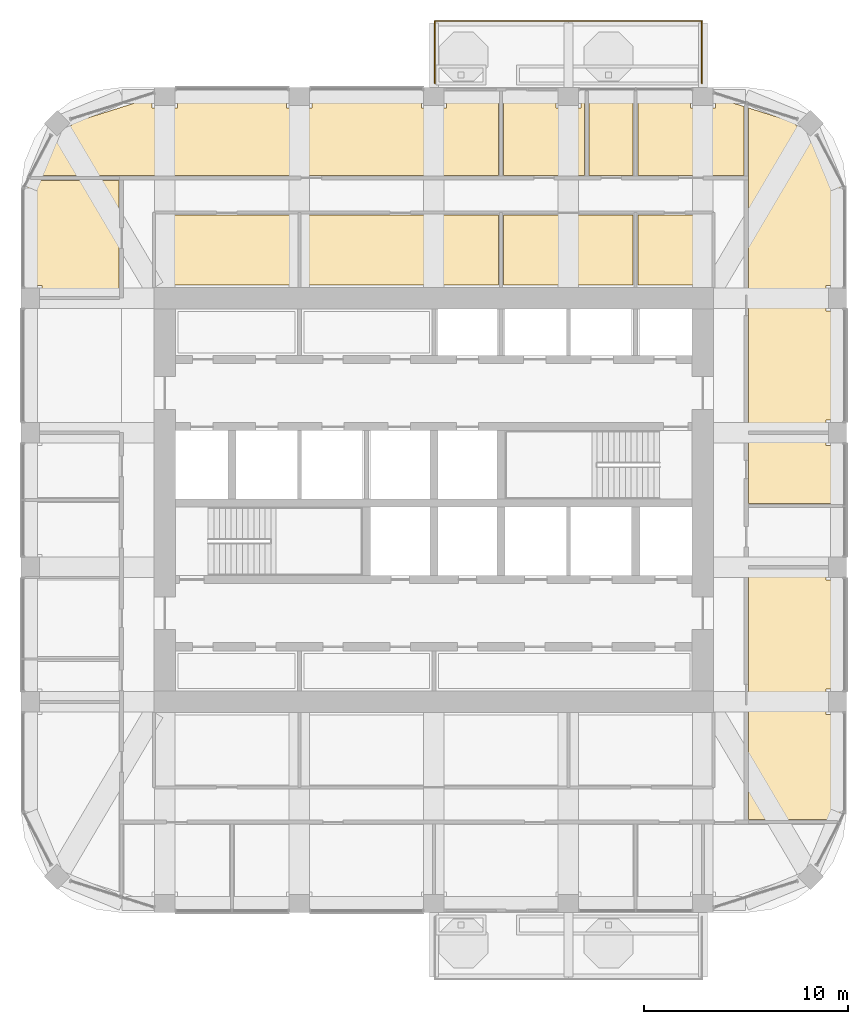
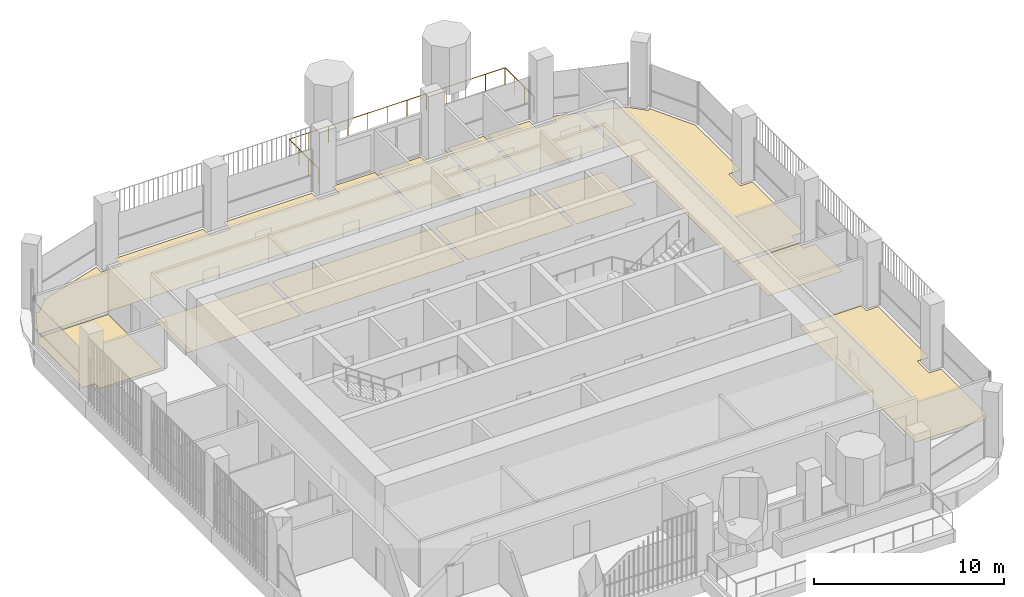
# One storey, part 20 of 21: 12 coverings, 1 railing.
"""IFC4 building model written with IfcOpenShell, lengths in metres."""

from ifc_helpers import new_model, si_unit, direction, frame, origin, place, context, subcontext, project, spatial, polyline, outline, extrude, material, layer, layer_set, type_object, element, save


model = new_model("IFC4")

# Units and contexts
model_context = context("Model", 3, precision=1e-05, world=origin(), true_north=direction((0.0, 1.0)))
body_context = subcontext(model_context, "Body", "Model", "MODEL_VIEW")
ifc_project = project(units=[si_unit("LENGTHUNIT", "METRE"), si_unit("AREAUNIT", "SQUARE_METRE"), si_unit("VOLUMEUNIT", "CUBIC_METRE"), si_unit("PLANEANGLEUNIT", "RADIAN"), si_unit("MASSUNIT", "GRAM", prefix="KILO")], contexts=[model_context])

# Site, building, storey
site_placement = place(None, origin())
site = spatial("IfcSite", under=ifc_project, at=site_placement, CompositionType="ELEMENT")
building_placement = place(site_placement, origin())
building = spatial("IfcBuilding", under=site, at=building_placement, Name="Cobogo Forest Laboratory Tower", CompositionType="ELEMENT")
storey_placement = place(building_placement, frame((0.0, 0.0, 283.800048828125)))
storey = spatial("IfcBuildingStorey", under=building, at=storey_placement, Name="L65", CompositionType="ELEMENT", Elevation=283.800048828125)

# Railing
ifc_material_1 = material(Name="Laminated glass balustrade", Category="glass")
railing_type = type_object("IfcRailingType", Name="BG1 glass balustrade 1100", PredefinedType="GUARDRAIL", material=ifc_material_1)
railing_placement = place(storey_placement, frame((26.449951171875, 43.550048828125, 0.0)))
element("IfcRailing", 1, at=railing_placement, inside=storey, type_object=railing_type, Name="Balcony balustrade BAL-N1 L65", PredefinedType="GUARDRAIL", context=body_context, shape_type="SweptSolid", body=[
    extrude(outline(polyline([(0.022216796875, 0.00927734375), (0.00927734375, 0.022216796875), (-0.00927734375, 0.022216796875), (-0.022216796875, 0.00927734375), (-0.022216796875, -0.00927734375), (-0.00927734375, -0.022216796875), (0.00927734375, -0.022216796875), (0.022216796875, -0.00927734375), (0.022216796875, 0.00927734375)])), frame((0.0, 0.0, 1.077880859375), z_axis=(0.0, 1.0, 0.0), x_axis=(-1.0, 0.0, 0.0)), (0.0, 0.0, 1.0), 3.050048828125),
    extrude(outline(polyline([(0.022216796875, 0.00927734375), (0.00927734375, 0.022216796875), (-0.00927734375, 0.022216796875), (-0.022216796875, 0.00927734375), (-0.022216796875, -0.00927734375), (-0.00927734375, -0.022216796875), (0.00927734375, -0.022216796875), (0.022216796875, -0.00927734375), (0.022216796875, 0.00927734375)])), frame((0.0, 3.050048828125, 1.077880859375), z_axis=(1.0, 0.0, 0.0), x_axis=(0.0, 1.0, 0.0)), (0.0, 0.0, 1.0), 13.10009765625),
    extrude(outline(polyline([(0.022216796875, 0.00927734375), (0.00927734375, 0.022216796875), (-0.00927734375, 0.022216796875), (-0.022216796875, 0.00927734375), (-0.022216796875, -0.00927734375), (-0.00927734375, -0.022216796875), (0.00927734375, -0.022216796875), (0.022216796875, -0.00927734375), (0.022216796875, 0.00927734375)])), frame((13.10009765625, 3.050048828125, 1.077880859375), z_axis=(0.0, -1.0, 0.0), x_axis=(1.0, 0.0, 0.0)), (0.0, 0.0, 1.0), 3.050048828125),
    extrude(outline(polyline([(0.019287109375, 0.008056640625), (0.008056640625, 0.019287109375), (-0.008056640625, 0.019287109375), (-0.019287109375, 0.008056640625), (-0.019287109375, -0.008056640625), (-0.008056640625, -0.019287109375), (0.008056640625, -0.019287109375), (0.019287109375, -0.008056640625), (0.019287109375, 0.008056640625)])), origin(), (0.0, 0.0, 1.0), 1.077880859375),
    extrude(outline(polyline([(0.019287109375, 0.008056640625), (0.008056640625, 0.019287109375), (-0.008056640625, 0.019287109375), (-0.019287109375, 0.008056640625), (-0.019287109375, -0.008056640625), (-0.008056640625, -0.019287109375), (0.008056640625, -0.019287109375), (0.019287109375, -0.008056640625), (0.019287109375, 0.008056640625)])), frame((0.0, 1.0166015625, 0.0)), (0.0, 0.0, 1.0), 1.077880859375),
    extrude(outline(polyline([(0.019287109375, 0.008056640625), (0.008056640625, 0.019287109375), (-0.008056640625, 0.019287109375), (-0.019287109375, 0.008056640625), (-0.019287109375, -0.008056640625), (-0.008056640625, -0.019287109375), (0.008056640625, -0.019287109375), (0.019287109375, -0.008056640625), (0.019287109375, 0.008056640625)])), frame((0.0, 2.033447265625, 0.0)), (0.0, 0.0, 1.0), 1.077880859375),
    extrude(outline(polyline([(0.019287109375, 0.008056640625), (0.008056640625, 0.019287109375), (-0.008056640625, 0.019287109375), (-0.019287109375, 0.008056640625), (-0.019287109375, -0.008056640625), (-0.008056640625, -0.019287109375), (0.008056640625, -0.019287109375), (0.019287109375, -0.008056640625), (0.019287109375, 0.008056640625)])), frame((0.0, 3.050048828125, 0.0)), (0.0, 0.0, 1.0), 1.077880859375),
    extrude(outline(polyline([(0.019287109375, 0.008056640625), (0.008056640625, 0.019287109375), (-0.008056640625, 0.019287109375), (-0.019287109375, 0.008056640625), (-0.019287109375, -0.008056640625), (-0.008056640625, -0.019287109375), (0.008056640625, -0.019287109375), (0.019287109375, -0.008056640625), (0.019287109375, 0.008056640625)])), frame((1.19091796875, 3.050048828125, 0.0)), (0.0, 0.0, 1.0), 1.077880859375),
    extrude(outline(polyline([(0.019287109375, 0.008056640625), (0.008056640625, 0.019287109375), (-0.008056640625, 0.019287109375), (-0.019287109375, 0.008056640625), (-0.019287109375, -0.008056640625), (-0.008056640625, -0.019287109375), (0.008056640625, -0.019287109375), (0.019287109375, -0.008056640625), (0.019287109375, 0.008056640625)])), frame((2.3818359375, 3.050048828125, 0.0)), (0.0, 0.0, 1.0), 1.077880859375),
    extrude(outline(polyline([(0.019287109375, 0.008056640625), (0.008056640625, 0.019287109375), (-0.008056640625, 0.019287109375), (-0.019287109375, 0.008056640625), (-0.019287109375, -0.008056640625), (-0.008056640625, -0.019287109375), (0.008056640625, -0.019287109375), (0.019287109375, -0.008056640625), (0.019287109375, 0.008056640625)])), frame((3.57275390625, 3.050048828125, 0.0)), (0.0, 0.0, 1.0), 1.077880859375),
    extrude(outline(polyline([(0.019287109375, 0.008056640625), (0.008056640625, 0.019287109375), (-0.008056640625, 0.019287109375), (-0.019287109375, 0.008056640625), (-0.019287109375, -0.008056640625), (-0.008056640625, -0.019287109375), (0.008056640625, -0.019287109375), (0.019287109375, -0.008056640625), (0.019287109375, 0.008056640625)])), frame((4.763671875, 3.050048828125, 0.0)), (0.0, 0.0, 1.0), 1.077880859375),
    extrude(outline(polyline([(0.019287109375, 0.008056640625), (0.008056640625, 0.019287109375), (-0.008056640625, 0.019287109375), (-0.019287109375, 0.008056640625), (-0.019287109375, -0.008056640625), (-0.008056640625, -0.019287109375), (0.008056640625, -0.019287109375), (0.019287109375, -0.008056640625), (0.019287109375, 0.008056640625)])), frame((5.95458984375, 3.050048828125, 0.0)), (0.0, 0.0, 1.0), 1.077880859375),
    extrude(outline(polyline([(0.019287109375, 0.008056640625), (0.008056640625, 0.019287109375), (-0.008056640625, 0.019287109375), (-0.019287109375, 0.008056640625), (-0.019287109375, -0.008056640625), (-0.008056640625, -0.019287109375), (0.008056640625, -0.019287109375), (0.019287109375, -0.008056640625), (0.019287109375, 0.008056640625)])), frame((7.1455078125, 3.050048828125, 0.0)), (0.0, 0.0, 1.0), 1.077880859375),
    extrude(outline(polyline([(0.019287109375, 0.008056640625), (0.008056640625, 0.019287109375), (-0.008056640625, 0.019287109375), (-0.019287109375, 0.008056640625), (-0.019287109375, -0.008056640625), (-0.008056640625, -0.019287109375), (0.008056640625, -0.019287109375), (0.019287109375, -0.008056640625), (0.019287109375, 0.008056640625)])), frame((8.33642578125, 3.050048828125, 0.0)), (0.0, 0.0, 1.0), 1.077880859375),
    extrude(outline(polyline([(0.019287109375, 0.008056640625), (0.008056640625, 0.019287109375), (-0.008056640625, 0.019287109375), (-0.019287109375, 0.008056640625), (-0.019287109375, -0.008056640625), (-0.008056640625, -0.019287109375), (0.008056640625, -0.019287109375), (0.019287109375, -0.008056640625), (0.019287109375, 0.008056640625)])), frame((9.52734375, 3.050048828125, 0.0)), (0.0, 0.0, 1.0), 1.077880859375),
    extrude(outline(polyline([(0.019287109375, 0.008056640625), (0.008056640625, 0.019287109375), (-0.008056640625, 0.019287109375), (-0.019287109375, 0.008056640625), (-0.019287109375, -0.008056640625), (-0.008056640625, -0.019287109375), (0.008056640625, -0.019287109375), (0.019287109375, -0.008056640625), (0.019287109375, 0.008056640625)])), frame((10.71826171875, 3.050048828125, 0.0)), (0.0, 0.0, 1.0), 1.077880859375),
    extrude(outline(polyline([(0.019287109375, 0.008056640625), (0.008056640625, 0.019287109375), (-0.008056640625, 0.019287109375), (-0.019287109375, 0.008056640625), (-0.019287109375, -0.008056640625), (-0.008056640625, -0.019287109375), (0.008056640625, -0.019287109375), (0.019287109375, -0.008056640625), (0.019287109375, 0.008056640625)])), frame((11.9091796875, 3.050048828125, 0.0)), (0.0, 0.0, 1.0), 1.077880859375),
    extrude(outline(polyline([(0.019287109375, 0.008056640625), (0.008056640625, 0.019287109375), (-0.008056640625, 0.019287109375), (-0.019287109375, 0.008056640625), (-0.019287109375, -0.008056640625), (-0.008056640625, -0.019287109375), (0.008056640625, -0.019287109375), (0.019287109375, -0.008056640625), (0.019287109375, 0.008056640625)])), frame((13.10009765625, 3.050048828125, 0.0)), (0.0, 0.0, 1.0), 1.077880859375),
    extrude(outline(polyline([(0.019287109375, 0.008056640625), (0.008056640625, 0.019287109375), (-0.008056640625, 0.019287109375), (-0.019287109375, 0.008056640625), (-0.019287109375, -0.008056640625), (-0.008056640625, -0.019287109375), (0.008056640625, -0.019287109375), (0.019287109375, -0.008056640625), (0.019287109375, 0.008056640625)])), frame((13.10009765625, 2.033447265625, 0.0)), (0.0, 0.0, 1.0), 1.077880859375),
    extrude(outline(polyline([(0.019287109375, 0.008056640625), (0.008056640625, 0.019287109375), (-0.008056640625, 0.019287109375), (-0.019287109375, 0.008056640625), (-0.019287109375, -0.008056640625), (-0.008056640625, -0.019287109375), (0.008056640625, -0.019287109375), (0.019287109375, -0.008056640625), (0.019287109375, 0.008056640625)])), frame((13.10009765625, 1.0166015625, 0.0)), (0.0, 0.0, 1.0), 1.077880859375),
    extrude(outline(polyline([(0.019287109375, 0.008056640625), (0.008056640625, 0.019287109375), (-0.008056640625, 0.019287109375), (-0.019287109375, 0.008056640625), (-0.019287109375, -0.008056640625), (-0.008056640625, -0.019287109375), (0.008056640625, -0.019287109375), (0.019287109375, -0.008056640625), (0.019287109375, 0.008056640625)])), frame((13.10009765625, 0.0, 0.0)), (0.0, 0.0, 1.0), 1.077880859375),
])

# Coverings
ifc_material_2 = material(Name="Carpet tile on raised access floor", Category="flooring")
ifc_layer_1 = layer(ifc_material_2, 0.008056640625)
ifc_layer_set_1 = layer_set([ifc_layer_1], Name="CT1 carpet tile floor 8")
covering_type_1 = type_object("IfcCoveringType", Name="CT1 carpet tile floor 8", PredefinedType="FLOORING", material=ifc_layer_set_1)
covering_1_placement = place(storey_placement, origin())
element("IfcCovering", 2, at=covering_1_placement, inside=storey, type_object=covering_type_1, Name="Carpet floor L65-01", PredefinedType="FLOORING", context=body_context, shape_type="SweptSolid", body=[
    extrude(outline(polyline([(19.679931640625, 33.64501953125), (12.794921875, 33.64501953125), (12.794921875, 37.080078125), (19.679931640625, 37.080078125), (19.679931640625, 33.64501953125)])), origin(), (0.0, 0.0, 1.0), 0.008056640625),
])
covering_2_placement = place(storey_placement, origin())
element("IfcCovering", 3, at=covering_2_placement, inside=storey, type_object=covering_type_1, Name="Carpet floor L65-02", PredefinedType="FLOORING", context=body_context, shape_type="SweptSolid", body=[
    extrude(outline(polyline([(29.580078125, 33.64501953125), (19.919921875, 33.64501953125), (19.919921875, 37.080078125), (29.580078125, 37.080078125), (29.580078125, 33.64501953125)])), origin(), (0.0, 0.0, 1.0), 0.008056640625),
])
covering_3_placement = place(storey_placement, origin())
element("IfcCovering", 4, at=covering_3_placement, inside=storey, type_object=covering_type_1, Name="Carpet floor L65-03", PredefinedType="FLOORING", context=body_context, shape_type="SweptSolid", body=[
    extrude(outline(polyline([(36.179931640625, 33.64501953125), (29.820068359375, 33.64501953125), (29.820068359375, 37.080078125), (36.179931640625, 37.080078125), (36.179931640625, 33.64501953125)])), origin(), (0.0, 0.0, 1.0), 0.008056640625),
])
covering_4_placement = place(storey_placement, origin())
element("IfcCovering", 5, at=covering_4_placement, inside=storey, type_object=covering_type_1, Name="Carpet floor L65-04", PredefinedType="FLOORING", context=body_context, shape_type="SweptSolid", body=[
    extrude(outline(polyline([(40.0048828125, 33.64501953125), (36.419921875, 33.64501953125), (36.419921875, 37.080078125), (40.0048828125, 37.080078125), (40.0048828125, 33.64501953125)])), origin(), (0.0, 0.0, 1.0), 0.008056640625),
])
covering_5_placement = place(storey_placement, origin())
element("IfcCovering", 6, at=covering_5_placement, inside=storey, type_object=covering_type_1, Name="Carpet floor L65-13", PredefinedType="FLOORING", context=body_context, shape_type="SweptSolid", body=[
    extrude(outline(polyline([(41.844970703125, 19.679931640625), (45.6298828125, 19.679931640625), (45.6298828125, 19.179931640625), (46.35009765625, 19.179931640625), (46.35009765625, 13.820068359375), (45.6298828125, 13.820068359375), (45.6298828125, 12.580078125), (46.35009765625, 12.580078125), (46.35009765625, 7.84912109375), (46.125, 7.419921875), (41.844970703125, 7.419921875), (41.844970703125, 19.679931640625)])), origin(), (0.0, 0.0, 1.0), 0.008056640625),
])
covering_6_placement = place(storey_placement, origin())
element("IfcCovering", 7, at=covering_6_placement, inside=storey, type_object=covering_type_1, Name="Carpet floor L65-16", PredefinedType="FLOORING", context=body_context, shape_type="SweptSolid", body=[
    extrude(outline(polyline([(41.844970703125, 42.331298828125), (44.10986328125, 41.615966796875), (44.075927734375, 41.58203125), (44.882080078125, 40.77587890625), (45.010986328125, 40.905029296875), (46.35009765625, 38.350830078125), (46.35009765625, 33.6201171875), (45.6298828125, 33.6201171875), (45.6298828125, 32.3798828125), (46.35009765625, 32.3798828125), (46.35009765625, 27.02001953125), (45.6298828125, 27.02001953125), (45.6298828125, 26.52001953125), (41.844970703125, 26.52001953125), (41.844970703125, 42.331298828125)])), origin(), (0.0, 0.0, 1.0), 0.008056640625),
])
covering_7_placement = place(storey_placement, origin())
element("IfcCovering", 8, at=covering_7_placement, inside=storey, type_object=covering_type_1, Name="Carpet floor L65-17", PredefinedType="FLOORING", context=body_context, shape_type="SweptSolid", body=[
    extrude(outline(polyline([(6.80078125, 39.02001953125), (7.788818359375, 40.905029296875), (7.91796875, 40.77587890625), (8.72412109375, 41.58203125), (8.68994140625, 41.615966796875), (12.580078125, 42.844482421875), (12.580078125, 42.330078125), (13.820068359375, 42.330078125), (13.820068359375, 43.050048828125), (19.179931640625, 43.050048828125), (19.179931640625, 42.330078125), (20.419921875, 42.330078125), (20.419921875, 43.050048828125), (25.780029296875, 43.050048828125), (25.780029296875, 42.330078125), (27.02001953125, 42.330078125), (27.02001953125, 43.050048828125), (29.580078125, 43.050048828125), (29.580078125, 39.02001953125), (6.80078125, 39.02001953125)])), origin(), (0.0, 0.0, 1.0), 0.008056640625),
])
covering_8_placement = place(storey_placement, origin())
element("IfcCovering", 9, at=covering_8_placement, inside=storey, type_object=covering_type_1, Name="Carpet floor L65-18", PredefinedType="FLOORING", context=body_context, shape_type="SweptSolid", body=[
    extrude(outline(polyline([(29.820068359375, 39.02001953125), (29.820068359375, 43.050048828125), (32.3798828125, 43.050048828125), (32.3798828125, 42.330078125), (33.6201171875, 42.330078125), (33.6201171875, 43.050048828125), (33.780029296875, 43.050048828125), (33.780029296875, 39.02001953125), (29.820068359375, 39.02001953125)])), origin(), (0.0, 0.0, 1.0), 0.008056640625),
])
covering_9_placement = place(storey_placement, origin())
element("IfcCovering", 10, at=covering_9_placement, inside=storey, type_object=covering_type_1, Name="Carpet floor L65-26", PredefinedType="FLOORING", context=body_context, shape_type="SweptSolid", body=[
    extrude(outline(polyline([(10.955078125, 33.1201171875), (7.169921875, 33.1201171875), (7.169921875, 33.6201171875), (6.449951171875, 33.6201171875), (6.449951171875, 38.350830078125), (6.675048828125, 38.780029296875), (10.955078125, 38.780029296875), (10.955078125, 33.1201171875)])), origin(), (0.0, 0.0, 1.0), 0.008056640625),
])
ifc_material_3 = material(Name="Epoxy resin flooring", Category="flooring")
ifc_layer_2 = layer(ifc_material_3, 0.00390625)
ifc_layer_set_2 = layer_set([ifc_layer_2], Name="LF1 epoxy laboratory floor 4")
covering_type_2 = type_object("IfcCoveringType", Name="LF1 epoxy laboratory floor 4", PredefinedType="FLOORING", material=ifc_layer_set_2)
covering_10_placement = place(storey_placement, origin())
element("IfcCovering", 11, at=covering_10_placement, inside=storey, type_object=covering_type_2, Name="Epoxy laboratory floor L65-20", PredefinedType="FLOORING", context=body_context, shape_type="SweptSolid", body=[
    extrude(outline(polyline([(36.419921875, 39.02001953125), (36.419921875, 43.050048828125), (38.97998046875, 43.050048828125), (38.97998046875, 42.330078125), (40.219970703125, 42.330078125), (40.219970703125, 42.844482421875), (41.60498046875, 42.406982421875), (41.60498046875, 39.02001953125), (36.419921875, 39.02001953125)])), origin(), (0.0, 0.0, 1.0), 0.00390625),
])
ifc_material_4 = material(Name="Static-dissipative vinyl flooring", Category="flooring")
ifc_layer_3 = layer(ifc_material_4, 0.0029296875)
ifc_layer_set_3 = layer_set([ifc_layer_3], Name="SD1 static-dissipative vinyl floor 3")
covering_type_3 = type_object("IfcCoveringType", Name="SD1 static-dissipative vinyl floor 3", PredefinedType="FLOORING", material=ifc_layer_set_3)
covering_11_placement = place(storey_placement, origin())
element("IfcCovering", 12, at=covering_11_placement, inside=storey, type_object=covering_type_3, Name="Static-dissipative floor L65-15", PredefinedType="FLOORING", context=body_context, shape_type="SweptSolid", body=[
    extrude(outline(polyline([(41.844970703125, 26.280029296875), (45.6298828125, 26.280029296875), (45.6298828125, 25.780029296875), (46.35009765625, 25.780029296875), (46.35009765625, 22.919921875), (41.844970703125, 22.919921875), (41.844970703125, 26.280029296875)])), origin(), (0.0, 0.0, 1.0), 0.0029296875),
])
ifc_material_5 = material(Name="Ceramic floor tile", Category="flooring")
ifc_layer_4 = layer(ifc_material_5, 0.010009765625)
ifc_layer_set_4 = layer_set([ifc_layer_4], Name="TF1 ceramic tile floor 10")
covering_type_4 = type_object("IfcCoveringType", Name="TF1 ceramic tile floor 10", PredefinedType="FLOORING", material=ifc_layer_set_4)
covering_12_placement = place(storey_placement, origin())
element("IfcCovering", 13, at=covering_12_placement, inside=storey, type_object=covering_type_4, Name="Tile floor L65-19", PredefinedType="FLOORING", context=body_context, shape_type="SweptSolid", body=[
    extrude(outline(polyline([(36.179931640625, 39.02001953125), (34.02001953125, 39.02001953125), (34.02001953125, 43.050048828125), (36.179931640625, 43.050048828125), (36.179931640625, 39.02001953125)])), origin(), (0.0, 0.0, 1.0), 0.010009765625),
])

save(model, "model.ifc")
